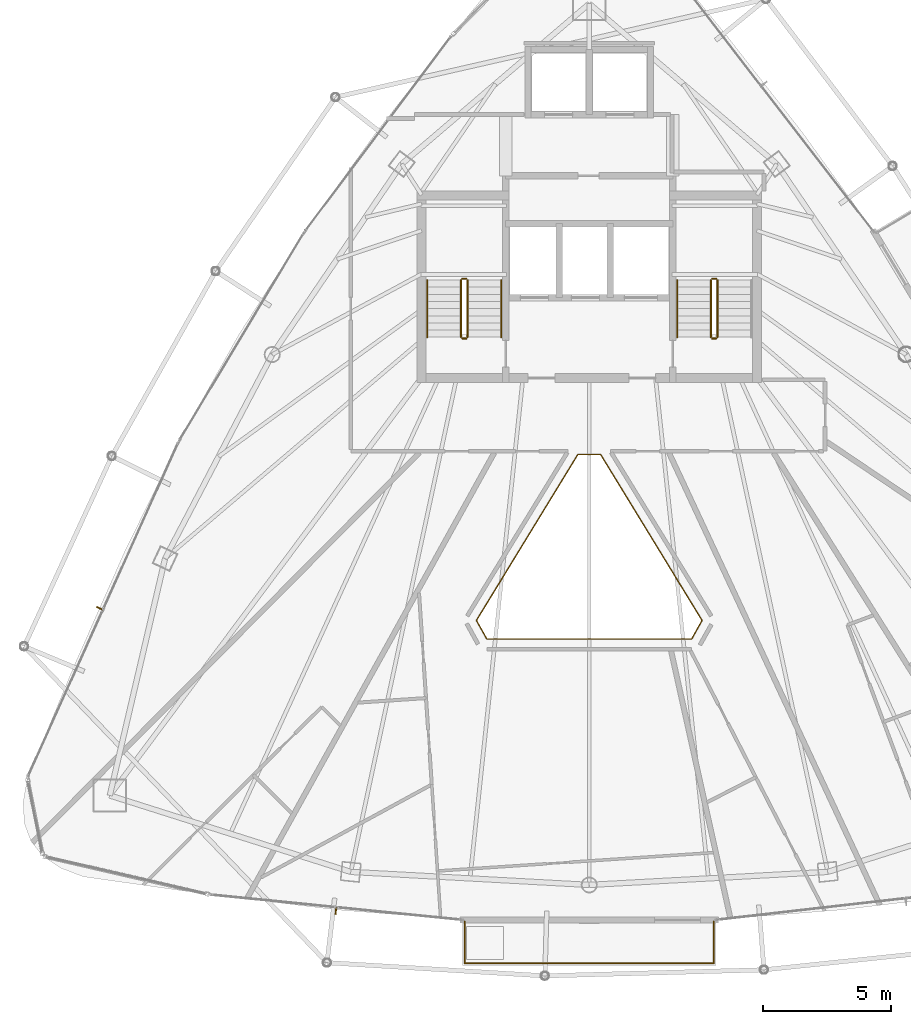
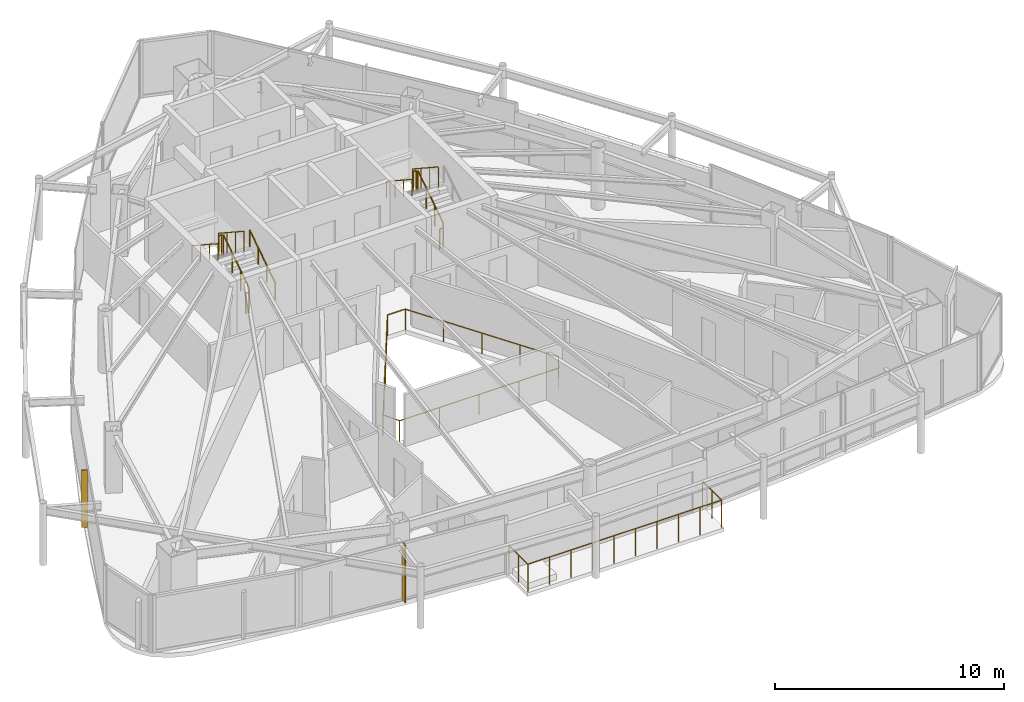
# One storey, part 28 of 29: 13 railings, 2 shading devices.
"""IFC4 building model written with IfcOpenShell, lengths in metres."""

from ifc_helpers import new_model, si_unit, direction, frame, origin, origin_2d, place, context, subcontext, project, spatial, rectangle, circle, extrude, material, layer, layer_set, type_object, element, save


model = new_model("IFC4")

# Units and contexts
model_context = context("Model", 3, precision=1e-05, world=origin(), true_north=direction((0.0, 1.0)))
body_context = subcontext(model_context, "Body", "Model", "MODEL_VIEW")
ifc_project = project(units=[si_unit("LENGTHUNIT", "METRE"), si_unit("AREAUNIT", "SQUARE_METRE"), si_unit("VOLUMEUNIT", "CUBIC_METRE"), si_unit("PLANEANGLEUNIT", "RADIAN"), si_unit("MASSUNIT", "GRAM", prefix="KILO")], contexts=[model_context])

# Site, building, storey
site_placement = place(None, origin())
site = spatial("IfcSite", under=ifc_project, at=site_placement, CompositionType="ELEMENT")
building_placement = place(site_placement, origin())
building = spatial("IfcBuilding", under=site, at=building_placement, Name="Orvanel Arch Residences", CompositionType="ELEMENT")
storey_placement = place(building_placement, frame((0.0, 0.0, 250.25)))
storey = spatial("IfcBuildingStorey", under=building, at=storey_placement, Name="L71", CompositionType="ELEMENT", Elevation=250.25)

# Shading devices
ifc_material_1 = material(Name="Bronze-anodised aluminium AA6063-T6", Category="aluminium")
ifc_layer = layer(ifc_material_1, 0.050048828125)
ifc_layer_set = layer_set([ifc_layer], Name="Bronze-anodised aluminium AA6063-T6")
shading_device_type = type_object("IfcShadingDeviceType", Name="FIN-BRZ-260", PredefinedType="USERDEFINED", material=ifc_layer_set)
for number, where, z_axis, x_axis, name in (
    (1, (13.7939453125, 17.696044921875, 0.0), (0.0, 0.0, 1.0), (-0.912120116172, 0.409923033842, 0.0), "L71 Anodised Bronze Mullion FIN 01"),
    (2, (23.06298828125, 5.81298828125, 0.0), (0.0, 0.0, 1.0), (-0.099319749744, -0.995055569961, 0.0), "L71 Anodised Bronze Mullion FIN 01"),
):
    element("IfcShadingDevice", number, at=place(storey_placement, frame(where, z_axis=z_axis, x_axis=x_axis)), inside=storey, type_object=shading_device_type, Name=name, ObjectType="FIN", PredefinedType="USERDEFINED", context=body_context, shape_type="SweptSolid", body=[
        extrude(rectangle(XDim=0.260009765625, YDim=0.050048828125, at=origin_2d()), origin(), (0.0, 0.0, 1.0), 3.06005859375),
    ])

# Railings
railing_type_1 = type_object("IfcRailingType", Name="RL-ATR-1120", PredefinedType="BALUSTRADE", material=ifc_material_1)
railing_1_placement = place(storey_placement, frame((33.447998046875, 23.717041015625, 0.0)))
element("IfcRailing", 3, at=railing_1_placement, inside=storey, type_object=railing_type_1, Name="L71 Atrium Void Protective Balustrade", PredefinedType="BALUSTRADE", context=body_context, shape_type="SweptSolid", body=[
    extrude(circle(Radius=0.02392578125, at=origin_2d()), frame((-0.00146484375, 0.0, 1.09619140625), z_axis=(-1.0, 0.0, 0.0), x_axis=(0.0, -1.0, 0.0)), (0.0, 0.0, 1.0), 0.89306640625),
    extrude(circle(Radius=0.02392578125, at=origin_2d()), frame((-0.896728515625, -0.001220703125, 1.09619140625), z_axis=(-0.521610684309, -0.853183622683, 0.0), x_axis=(0.853183622683, -0.521610684309, 0.0)), (0.0, 0.0, 1.0), 7.617919921875),
    extrude(circle(Radius=0.02392578125, at=origin_2d()), frame((-4.870361328125, -6.503173828125, 1.09619140625), z_axis=(0.489116257899, -0.872218600042, 0.0), x_axis=(0.872218600042, 0.489116257899, 0.0)), (0.0, 0.0, 1.0), 0.837646484375),
    extrude(circle(Radius=0.02392578125, at=origin_2d()), frame((-4.45849609375, -7.235107421875, 1.09619140625), z_axis=(1.0, 0.0, 0.0), x_axis=(0.0, 1.0, 0.0)), (0.0, 0.0, 1.0), 8.02099609375),
    extrude(circle(Radius=0.02392578125, at=origin_2d()), frame((3.564697265625, -7.23388671875, 1.09619140625), z_axis=(0.489116257899, 0.872218600042, 0.0), x_axis=(-0.872218600042, 0.489116257899, 0.0)), (0.0, 0.0, 1.0), 0.837646484375),
    extrude(circle(Radius=0.02392578125, at=origin_2d()), frame((3.974365234375, -6.500732421875, 1.09619140625), z_axis=(-0.521610684309, 0.853183622683, 0.0), x_axis=(-0.853183622683, -0.521610684309, 0.0)), (0.0, 0.0, 1.0), 7.617919921875),
    extrude(circle(Radius=0.02099609375, at=origin_2d()), origin(), (0.0, 0.0, 1.0), 1.070068359375),
    extrude(circle(Radius=0.02099609375, at=origin_2d()), frame((-0.89599609375, 0.0, 0.0)), (0.0, 0.0, 1.0), 1.070068359375),
    extrude(circle(Radius=0.02099609375, at=origin_2d()), frame((-1.8896484375, -1.62548828125, 0.0)), (0.0, 0.0, 1.0), 1.070068359375),
    extrude(circle(Radius=0.02099609375, at=origin_2d()), frame((-2.883544921875, -3.2509765625, 0.0)), (0.0, 0.0, 1.0), 1.070068359375),
    extrude(circle(Radius=0.02099609375, at=origin_2d()), frame((-3.87744140625, -4.87646484375, 0.0)), (0.0, 0.0, 1.0), 1.070068359375),
    extrude(circle(Radius=0.02099609375, at=origin_2d()), frame((-4.87109375, -6.501953125, 0.0)), (0.0, 0.0, 1.0), 1.070068359375),
    extrude(circle(Radius=0.02099609375, at=origin_2d()), frame((-4.4599609375, -7.235107421875, 0.0)), (0.0, 0.0, 1.0), 1.070068359375),
    extrude(circle(Radius=0.02099609375, at=origin_2d()), frame((-2.4541015625, -7.235107421875, 0.0)), (0.0, 0.0, 1.0), 1.070068359375),
    extrude(circle(Radius=0.02099609375, at=origin_2d()), frame((-0.447998046875, -7.235107421875, 0.0)), (0.0, 0.0, 1.0), 1.070068359375),
    extrude(circle(Radius=0.02099609375, at=origin_2d()), frame((1.55810546875, -7.235107421875, 0.0)), (0.0, 0.0, 1.0), 1.070068359375),
    extrude(circle(Radius=0.02099609375, at=origin_2d()), frame((3.56396484375, -7.235107421875, 0.0)), (0.0, 0.0, 1.0), 1.070068359375),
    extrude(circle(Radius=0.02099609375, at=origin_2d()), frame((3.97509765625, -6.501953125, 0.0)), (0.0, 0.0, 1.0), 1.070068359375),
    extrude(circle(Radius=0.02099609375, at=origin_2d()), frame((2.9814453125, -4.87646484375, 0.0)), (0.0, 0.0, 1.0), 1.070068359375),
    extrude(circle(Radius=0.02099609375, at=origin_2d()), frame((1.987548828125, -3.2509765625, 0.0)), (0.0, 0.0, 1.0), 1.070068359375),
    extrude(circle(Radius=0.02099609375, at=origin_2d()), frame((0.99365234375, -1.62548828125, 0.0)), (0.0, 0.0, 1.0), 1.070068359375),
])
railing_type_2 = type_object("IfcRailingType", Name="RL-BAL-1480", PredefinedType="BALUSTRADE", material=ifc_material_1)
railing_2_placement = place(storey_placement, frame((28.118896484375, 5.409912109375, 0.0)))
element("IfcRailing", 4, at=railing_2_placement, inside=storey, type_object=railing_type_2, Name="L71 Balcony Perimeter Guardrail Face 2", PredefinedType="BALUSTRADE", context=body_context, shape_type="SweptSolid", body=[
    extrude(circle(Radius=0.02392578125, at=origin_2d()), frame((0.0, -0.00146484375, 1.4560546875), z_axis=(0.0, -1.0, 0.0), x_axis=(1.0, 0.0, 0.0)), (0.0, 0.0, 1.0), 1.636962890625),
    extrude(circle(Radius=0.02392578125, at=origin_2d()), frame((0.00146484375, -1.639892578125, 1.4560546875), z_axis=(1.0, 0.0, 0.0), x_axis=(0.0, 1.0, 0.0)), (0.0, 0.0, 1.0), 9.75927734375),
    extrude(circle(Radius=0.02392578125, at=origin_2d()), frame((9.76220703125, -1.638427734375, 1.4560546875), z_axis=(0.0, 1.0, 0.0), x_axis=(-1.0, 0.0, 0.0)), (0.0, 0.0, 1.0), 1.636962890625),
    extrude(circle(Radius=0.02099609375, at=origin_2d()), origin(), (0.0, 0.0, 1.0), 1.429931640625),
    extrude(circle(Radius=0.02099609375, at=origin_2d()), frame((0.0, -0.81982421875, 0.0)), (0.0, 0.0, 1.0), 1.429931640625),
    extrude(circle(Radius=0.02099609375, at=origin_2d()), frame((0.0, -1.639892578125, 0.0)), (0.0, 0.0, 1.0), 1.429931640625),
    extrude(circle(Radius=0.02099609375, at=origin_2d()), frame((1.084716796875, -1.639892578125, 0.0)), (0.0, 0.0, 1.0), 1.429931640625),
    extrude(circle(Radius=0.02099609375, at=origin_2d()), frame((2.16943359375, -1.639892578125, 0.0)), (0.0, 0.0, 1.0), 1.429931640625),
    extrude(circle(Radius=0.02099609375, at=origin_2d()), frame((3.254150390625, -1.639892578125, 0.0)), (0.0, 0.0, 1.0), 1.429931640625),
    extrude(circle(Radius=0.02099609375, at=origin_2d()), frame((4.3388671875, -1.639892578125, 0.0)), (0.0, 0.0, 1.0), 1.429931640625),
    extrude(circle(Radius=0.02099609375, at=origin_2d()), frame((5.42333984375, -1.639892578125, 0.0)), (0.0, 0.0, 1.0), 1.429931640625),
    extrude(circle(Radius=0.02099609375, at=origin_2d()), frame((6.508056640625, -1.639892578125, 0.0)), (0.0, 0.0, 1.0), 1.429931640625),
    extrude(circle(Radius=0.02099609375, at=origin_2d()), frame((7.5927734375, -1.639892578125, 0.0)), (0.0, 0.0, 1.0), 1.429931640625),
    extrude(circle(Radius=0.02099609375, at=origin_2d()), frame((8.677490234375, -1.639892578125, 0.0)), (0.0, 0.0, 1.0), 1.429931640625),
    extrude(circle(Radius=0.02099609375, at=origin_2d()), frame((9.76220703125, -1.639892578125, 0.0)), (0.0, 0.0, 1.0), 1.429931640625),
    extrude(circle(Radius=0.02099609375, at=origin_2d()), frame((9.76220703125, -0.81982421875, 0.0)), (0.0, 0.0, 1.0), 1.429931640625),
    extrude(circle(Radius=0.02099609375, at=origin_2d()), frame((9.76220703125, 0.0, 0.0)), (0.0, 0.0, 1.0), 1.429931640625),
])
ifc_material_2 = material(Name="Structural steel AS/NZS 1163 C350L0 (Grade 350)", Category="steel")
railing_type_3 = type_object("IfcRailingType", Name="RL-STAIR-GUARD", PredefinedType="GUARDRAIL", material=ifc_material_2)
railing_3_placement = place(storey_placement, frame((28.22998046875, 28.320068359375, 0.183349609375)))
element("IfcRailing", 5, at=railing_3_placement, inside=storey, type_object=railing_type_3, Name="L71 ST-1 stair guard 1", PredefinedType="GUARDRAIL", context=body_context, shape_type="SweptSolid", body=[
    extrude(circle(Radius=0.02392578125, at=origin_2d()), frame((0.0, 0.001220703125, 1.076904296875), z_axis=(0.0, 0.836636935527, 0.547757827979), x_axis=(-1.0, 0.0, 0.0)), (0.0, 0.0, 1.0), 2.67431640625),
    extrude(circle(Radius=0.02099609375, at=origin_2d()), origin(), (0.0, 0.0, 1.0), 1.050048828125),
    extrude(circle(Radius=0.02099609375, at=origin_2d()), frame((0.0, 0.74658203125, 0.48876953125)), (0.0, 0.0, 1.0), 1.050048828125),
    extrude(circle(Radius=0.02099609375, at=origin_2d()), frame((0.0, 1.493408203125, 0.977783203125)), (0.0, 0.0, 1.0), 1.050048828125),
    extrude(circle(Radius=0.02099609375, at=origin_2d()), frame((0.0, 2.239990234375, 1.466552734375)), (0.0, 0.0, 1.0), 1.050048828125),
])
railing_4_placement = place(storey_placement, frame((28.179931640625, 30.610107421875, 1.64990234375)))
element("IfcRailing", 6, at=railing_4_placement, inside=storey, type_object=railing_type_3, Name="L71 ST-1 stair guard 2", PredefinedType="GUARDRAIL", context=body_context, shape_type="SweptSolid", body=[
    extrude(circle(Radius=0.02392578125, at=origin_2d()), frame((-0.00146484375, 0.0, 1.076171875), z_axis=(-1.0, 0.0, 0.0), x_axis=(0.0, -1.0, 0.0)), (0.0, 0.0, 1.0), 0.156982421875),
    extrude(circle(Radius=0.02099609375, at=origin_2d()), origin(), (0.0, 0.0, 1.0), 1.050048828125),
    extrude(circle(Radius=0.02099609375, at=origin_2d()), frame((-0.159912109375, 0.0, 0.0)), (0.0, 0.0, 1.0), 1.050048828125),
])
railing_5_placement = place(storey_placement, frame((27.969970703125, 30.56005859375, 1.833251953125)))
element("IfcRailing", 7, at=railing_5_placement, inside=storey, type_object=railing_type_3, Name="L71 ST-1 stair guard 3", PredefinedType="GUARDRAIL", context=body_context, shape_type="SweptSolid", body=[
    extrude(circle(Radius=0.02392578125, at=origin_2d()), frame((0.0, -0.001220703125, 1.076904296875), z_axis=(0.0, -0.836595146698, 0.547821650285), x_axis=(1.0, 0.0, 0.0)), (0.0, 0.0, 1.0), 2.674560546875),
    extrude(circle(Radius=0.02099609375, at=origin_2d()), origin(), (0.0, 0.0, 1.0), 1.050048828125),
    extrude(circle(Radius=0.02099609375, at=origin_2d()), frame((0.0, -0.74658203125, 0.489013671875)), (0.0, 0.0, 1.0), 1.050048828125),
    extrude(circle(Radius=0.02099609375, at=origin_2d()), frame((0.0, -1.493408203125, 0.977783203125)), (0.0, 0.0, 1.0), 1.050048828125),
    extrude(circle(Radius=0.02099609375, at=origin_2d()), frame((0.0, -2.239990234375, 1.466796875)), (0.0, 0.0, 1.0), 1.050048828125),
])
railing_6_placement = place(storey_placement, frame((28.179931640625, 28.27001953125, 0.0)))
element("IfcRailing", 8, at=railing_6_placement, inside=storey, type_object=railing_type_3, Name="L71 ST-1 stair guard 4", PredefinedType="GUARDRAIL", context=body_context, shape_type="SweptSolid", body=[
    extrude(circle(Radius=0.02392578125, at=origin_2d()), frame((-0.00146484375, 0.0, 1.076171875), z_axis=(-1.0, 0.0, 0.0), x_axis=(0.0, -1.0, 0.0)), (0.0, 0.0, 1.0), 0.156982421875),
    extrude(circle(Radius=0.02099609375, at=origin_2d()), origin(), (0.0, 0.0, 1.0), 1.050048828125),
    extrude(circle(Radius=0.02099609375, at=origin_2d()), frame((-0.159912109375, 0.0, 0.0)), (0.0, 0.0, 1.0), 1.050048828125),
])
railing_7_placement = place(storey_placement, frame((38.030029296875, 28.320068359375, 0.183349609375)))
element("IfcRailing", 9, at=railing_7_placement, inside=storey, type_object=railing_type_3, Name="L71 ST-2 stair guard 1", PredefinedType="GUARDRAIL", context=body_context, shape_type="SweptSolid", body=[
    extrude(circle(Radius=0.02392578125, at=origin_2d()), frame((0.0, 0.001220703125, 1.076904296875), z_axis=(0.0, 0.836636935527, 0.547757827979), x_axis=(-1.0, 0.0, 0.0)), (0.0, 0.0, 1.0), 2.67431640625),
    extrude(circle(Radius=0.02099609375, at=origin_2d()), origin(), (0.0, 0.0, 1.0), 1.050048828125),
    extrude(circle(Radius=0.02099609375, at=origin_2d()), frame((0.0, 0.74658203125, 0.48876953125)), (0.0, 0.0, 1.0), 1.050048828125),
    extrude(circle(Radius=0.02099609375, at=origin_2d()), frame((0.0, 1.493408203125, 0.977783203125)), (0.0, 0.0, 1.0), 1.050048828125),
    extrude(circle(Radius=0.02099609375, at=origin_2d()), frame((0.0, 2.239990234375, 1.466552734375)), (0.0, 0.0, 1.0), 1.050048828125),
])
railing_8_placement = place(storey_placement, frame((37.97998046875, 30.610107421875, 1.64990234375)))
element("IfcRailing", 10, at=railing_8_placement, inside=storey, type_object=railing_type_3, Name="L71 ST-2 stair guard 2", PredefinedType="GUARDRAIL", context=body_context, shape_type="SweptSolid", body=[
    extrude(circle(Radius=0.02392578125, at=origin_2d()), frame((-0.00146484375, 0.0, 1.076171875), z_axis=(-1.0, 0.0, 0.0), x_axis=(0.0, -1.0, 0.0)), (0.0, 0.0, 1.0), 0.156982421875),
    extrude(circle(Radius=0.02099609375, at=origin_2d()), origin(), (0.0, 0.0, 1.0), 1.050048828125),
    extrude(circle(Radius=0.02099609375, at=origin_2d()), frame((-0.159912109375, 0.0, 0.0)), (0.0, 0.0, 1.0), 1.050048828125),
])
railing_9_placement = place(storey_placement, frame((37.77001953125, 30.56005859375, 1.833251953125)))
element("IfcRailing", 11, at=railing_9_placement, inside=storey, type_object=railing_type_3, Name="L71 ST-2 stair guard 3", PredefinedType="GUARDRAIL", context=body_context, shape_type="SweptSolid", body=[
    extrude(circle(Radius=0.02392578125, at=origin_2d()), frame((0.0, -0.001220703125, 1.076904296875), z_axis=(0.0, -0.836595146698, 0.547821650285), x_axis=(1.0, 0.0, 0.0)), (0.0, 0.0, 1.0), 2.674560546875),
    extrude(circle(Radius=0.02099609375, at=origin_2d()), origin(), (0.0, 0.0, 1.0), 1.050048828125),
    extrude(circle(Radius=0.02099609375, at=origin_2d()), frame((0.0, -0.74658203125, 0.489013671875)), (0.0, 0.0, 1.0), 1.050048828125),
    extrude(circle(Radius=0.02099609375, at=origin_2d()), frame((0.0, -1.493408203125, 0.977783203125)), (0.0, 0.0, 1.0), 1.050048828125),
    extrude(circle(Radius=0.02099609375, at=origin_2d()), frame((0.0, -2.239990234375, 1.466796875)), (0.0, 0.0, 1.0), 1.050048828125),
])
railing_10_placement = place(storey_placement, frame((37.97998046875, 28.27001953125, 0.0)))
element("IfcRailing", 12, at=railing_10_placement, inside=storey, type_object=railing_type_3, Name="L71 ST-2 stair guard 4", PredefinedType="GUARDRAIL", context=body_context, shape_type="SweptSolid", body=[
    extrude(circle(Radius=0.02392578125, at=origin_2d()), frame((-0.00146484375, 0.0, 1.076171875), z_axis=(-1.0, 0.0, 0.0), x_axis=(0.0, -1.0, 0.0)), (0.0, 0.0, 1.0), 0.156982421875),
    extrude(circle(Radius=0.02099609375, at=origin_2d()), origin(), (0.0, 0.0, 1.0), 1.050048828125),
    extrude(circle(Radius=0.02099609375, at=origin_2d()), frame((-0.159912109375, 0.0, 0.0)), (0.0, 0.0, 1.0), 1.050048828125),
])
railing_type_4 = type_object("IfcRailingType", Name="RL-STAIR-HAND", PredefinedType="HANDRAIL", material=ifc_material_2)
railing_11_placement = place(storey_placement, frame((29.550048828125, 28.320068359375, 0.183349609375)))
element("IfcRailing", 13, at=railing_11_placement, inside=storey, type_object=railing_type_4, Name="L71 ST-1 stair handrail 1", PredefinedType="HANDRAIL", context=body_context, shape_type="SweptSolid", body=[
    extrude(circle(Radius=0.02392578125, at=origin_2d()), frame((0.0, 0.001220703125, 0.876708984375), z_axis=(0.0, 0.836636935527, 0.547757827979), x_axis=(-1.0, 0.0, 0.0)), (0.0, 0.0, 1.0), 2.67431640625),
    extrude(circle(Radius=0.02099609375, at=origin_2d()), origin(), (0.0, 0.0, 1.0), 0.849853515625),
    extrude(circle(Radius=0.02099609375, at=origin_2d()), frame((0.0, 0.74658203125, 0.48876953125)), (0.0, 0.0, 1.0), 0.849853515625),
    extrude(circle(Radius=0.02099609375, at=origin_2d()), frame((0.0, 1.493408203125, 0.977783203125)), (0.0, 0.0, 1.0), 0.849853515625),
    extrude(circle(Radius=0.02099609375, at=origin_2d()), frame((0.0, 2.239990234375, 1.466552734375)), (0.0, 0.0, 1.0), 0.849853515625),
])
for number, where, name in (
    (14, (26.64990234375, 30.56005859375, 1.833251953125), "L71 ST-1 stair handrail 2"),
    (15, (36.449951171875, 30.56005859375, 1.833251953125), "L71 ST-2 stair handrail 2"),
):
    element("IfcRailing", number, at=place(storey_placement, frame(where)), inside=storey, type_object=railing_type_4, Name=name, PredefinedType="HANDRAIL", context=body_context, shape_type="SweptSolid", body=[
        extrude(circle(Radius=0.02392578125, at=origin_2d()), frame((0.0, -0.001220703125, 0.876708984375), z_axis=(0.0, -0.836595146698, 0.547821650285), x_axis=(1.0, 0.0, 0.0)), (0.0, 0.0, 1.0), 2.674560546875),
        extrude(circle(Radius=0.02099609375, at=origin_2d()), origin(), (0.0, 0.0, 1.0), 0.849853515625),
        extrude(circle(Radius=0.02099609375, at=origin_2d()), frame((0.0, -0.74658203125, 0.489013671875)), (0.0, 0.0, 1.0), 0.849853515625),
        extrude(circle(Radius=0.02099609375, at=origin_2d()), frame((0.0, -1.493408203125, 0.977783203125)), (0.0, 0.0, 1.0), 0.849853515625),
        extrude(circle(Radius=0.02099609375, at=origin_2d()), frame((0.0, -2.239990234375, 1.466796875)), (0.0, 0.0, 1.0), 0.849853515625),
    ])

save(model, "model.ifc")
